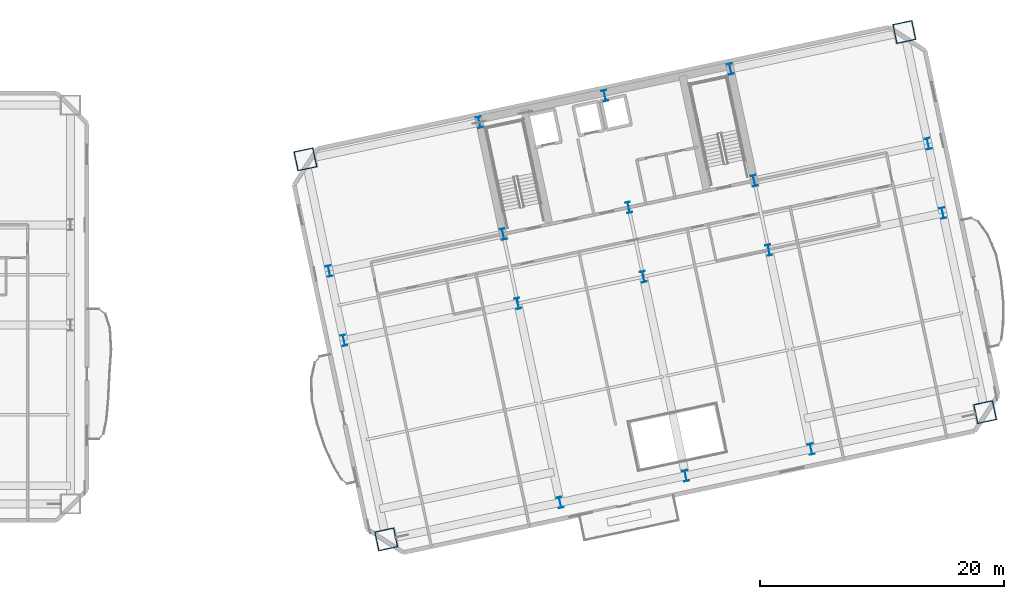
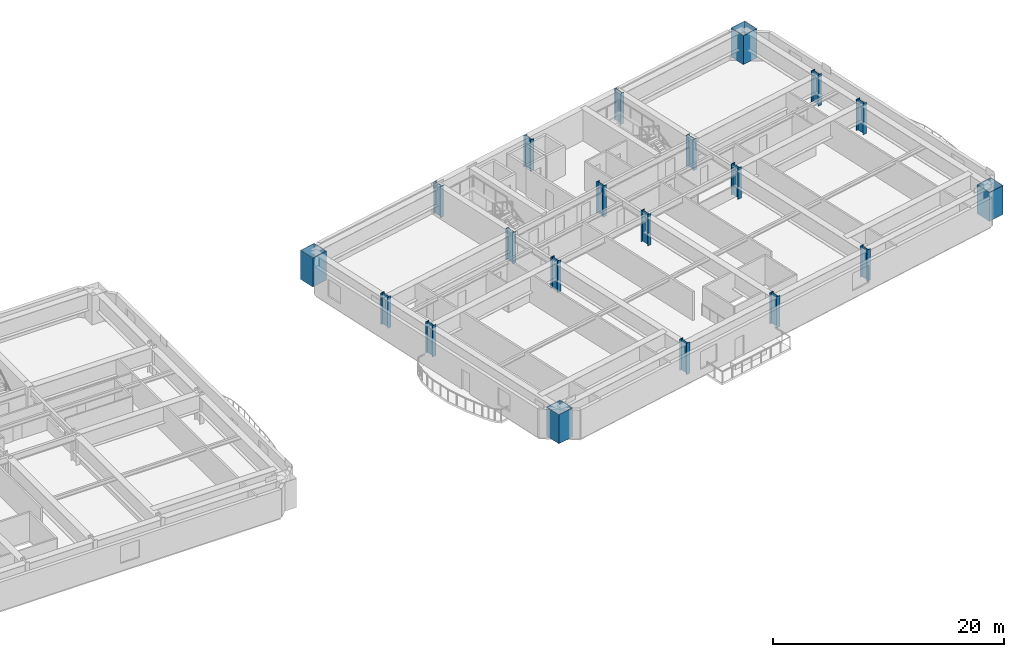
# One storey, part 2 of 18: 20 columns.
"""IFC4 building model written with IfcOpenShell, lengths in metres."""

from ifc_helpers import new_model, si_unit, direction, frame, origin, origin_2d, place, context, subcontext, project, spatial, hollow_rectangle, i_section, extrude, material, material_profile, profile_set, type_object, element, save


model = new_model("IFC4")

# Units and contexts
model_context = context("Model", 3, precision=1e-05, world=origin(), true_north=direction((0.0, 1.0)))
body_context = subcontext(model_context, "Body", "Model", "MODEL_VIEW")
ifc_project = project(units=[si_unit("LENGTHUNIT", "METRE"), si_unit("AREAUNIT", "SQUARE_METRE"), si_unit("VOLUMEUNIT", "CUBIC_METRE"), si_unit("PLANEANGLEUNIT", "RADIAN"), si_unit("MASSUNIT", "GRAM", prefix="KILO")], contexts=[model_context])

# Site, building, storey
site_placement = place(None, origin())
site = spatial("IfcSite", under=ifc_project, at=site_placement, CompositionType="ELEMENT")
building_placement = place(site_placement, origin())
building = spatial("IfcBuilding", under=site, at=building_placement, Name="Haevon Station Towers", CompositionType="ELEMENT")
storey_placement = place(building_placement, frame((0.0, 0.0, 47.10009765625)))
storey = spatial("IfcBuildingStorey", under=building, at=storey_placement, Name="L11", CompositionType="ELEMENT", Elevation=47.10009765625)

# Columns
ifc_material = material(Name="Steel S460", Category="steel")
ifc_material_profile_1 = material_profile(ifc_material, hollow_rectangle(XDim=1.60009765625, YDim=1.60009765625, WallThickness=0.0400390625, at=origin_2d()), Name="BOX-1600x1600x40")
ifc_profile_set_1 = profile_set([ifc_material_profile_1], Name="Steel S460")
column_type_1 = type_object("IfcColumnType", Name="COL-MC1", PredefinedType="COLUMN", material=ifc_profile_set_1)
for number, where, z_axis, x_axis, name in (
    (1, (89.18798828125, 12.457763671875, 0.0), (0.0, 0.0, 1.0), (0.978147600734, 0.207911690818, 0.0), "COL-T2-L11-01-01"),
    (2, (82.576416015625, 43.56298828125, 0.0), (0.0, 0.0, 1.0), (0.978147600734, 0.207911690818, 0.0), "COL-T2-L11-01-04"),
    (3, (138.193115234375, 22.874267578125, 0.0), (0.0, 0.0, 1.0), (0.978147600734, 0.207911690818, 0.0), "COL-T2-L11-05-01"),
    (4, (131.58154296875, 53.979248046875, 0.0), (0.0, 0.0, 1.0), (0.978147600734, 0.207911690818, 0.0), "COL-T2-L11-05-04"),
):
    element("IfcColumn", number, at=place(storey_placement, frame(where, z_axis=z_axis, x_axis=x_axis)), inside=storey, type_object=column_type_1, Name=name, PredefinedType="COLUMN", context=body_context, shape_type="SweptSolid", body=[
        extrude(hollow_rectangle(XDim=1.60009765625, YDim=1.60009765625, WallThickness=0.0400390625, at=origin_2d()), origin(), (0.0, 0.0, 1.0), 3.0498046875),
    ])
ifc_material_profile_2 = material_profile(ifc_material, i_section(OverallWidth=0.39990234375, OverallDepth=0.89990234375, WebThickness=0.02001953125, FlangeThickness=0.035888671875, at=origin_2d()), Name="H-900x400x20x36")
ifc_profile_set_2 = profile_set([ifc_material_profile_2], Name="Steel S460")
column_type_2 = type_object("IfcColumnType", Name="COL-TW1", PredefinedType="COLUMN", material=ifc_profile_set_2)
for number, where, z_axis, x_axis, name in (
    (5, (85.72607421875, 28.744140625, 0.0), (0.0, 0.0, 1.0), (0.978147600734, 0.207911690818, 0.0), "COL-T2-L11-01-02"),
    (6, (84.520263671875, 34.417236328125, 0.0), (0.0, 0.0, 1.0), (0.978147600734, 0.207911690818, 0.0), "COL-T2-L11-01-03"),
    (7, (103.419921875, 15.48291015625, 0.0), (0.0, 0.0, 1.0), (0.978147600734, 0.207911690818, 0.0), "COL-T2-L11-02-01"),
    (8, (99.958251953125, 31.76904296875, 0.0), (0.0, 0.0, 1.0), (0.978147600734, 0.207911690818, 0.0), "COL-T2-L11-02-02"),
    (9, (98.75244140625, 37.4423828125, 0.0), (0.0, 0.0, 1.0), (0.978147600734, 0.207911690818, 0.0), "COL-T2-L11-02-03"),
    (10, (96.808349609375, 46.588134765625, 0.0), (0.0, 0.0, 1.0), (0.978147600734, 0.207911690818, 0.0), "COL-T2-L11-02-04"),
    (11, (113.6904296875, 17.666015625, 0.0), (0.0, 0.0, 1.0), (0.978147600734, 0.207911690818, 0.0), "COL-T2-L11-03-01"),
    (12, (110.228759765625, 33.9521484375, 0.0), (0.0, 0.0, 1.0), (0.978147600734, 0.207911690818, 0.0), "COL-T2-L11-03-02"),
    (13, (109.02294921875, 39.62548828125, 0.0), (0.0, 0.0, 1.0), (0.978147600734, 0.207911690818, 0.0), "COL-T2-L11-03-03"),
    (14, (107.078857421875, 48.771240234375, 0.0), (0.0, 0.0, 1.0), (0.978147600734, 0.207911690818, 0.0), "COL-T2-L11-03-04"),
    (15, (123.961181640625, 19.84912109375, 0.0), (0.0, 0.0, 1.0), (0.978147600734, 0.207911690818, 0.0), "COL-T2-L11-04-01"),
    (16, (120.499267578125, 36.13525390625, 0.0), (0.0, 0.0, 1.0), (0.978147600734, 0.207911690818, 0.0), "COL-T2-L11-04-02"),
    (17, (119.29345703125, 41.80859375, 0.0), (0.0, 0.0, 1.0), (0.978147600734, 0.207911690818, 0.0), "COL-T2-L11-04-03"),
    (18, (117.349365234375, 50.954345703125, 0.0), (0.0, 0.0, 1.0), (0.978147600734, 0.207911690818, 0.0), "COL-T2-L11-04-04"),
    (19, (134.7314453125, 39.160400390625, 0.0), (0.0, 0.0, 1.0), (0.978147600734, 0.207911690818, 0.0), "COL-T2-L11-05-02"),
    (20, (133.525390625, 44.833740234375, 0.0), (0.0, 0.0, 1.0), (0.978147600734, 0.207911690818, 0.0), "COL-T2-L11-05-03"),
):
    element("IfcColumn", number, at=place(storey_placement, frame(where, z_axis=z_axis, x_axis=x_axis)), inside=storey, type_object=column_type_2, Name=name, PredefinedType="COLUMN", context=body_context, shape_type="SweptSolid", body=[
        extrude(i_section(OverallWidth=0.39990234375, OverallDepth=0.89990234375, WebThickness=0.02001953125, FlangeThickness=0.035888671875, at=origin_2d()), origin(), (0.0, 0.0, 1.0), 3.2998046875),
    ])

save(model, "model.ifc")
